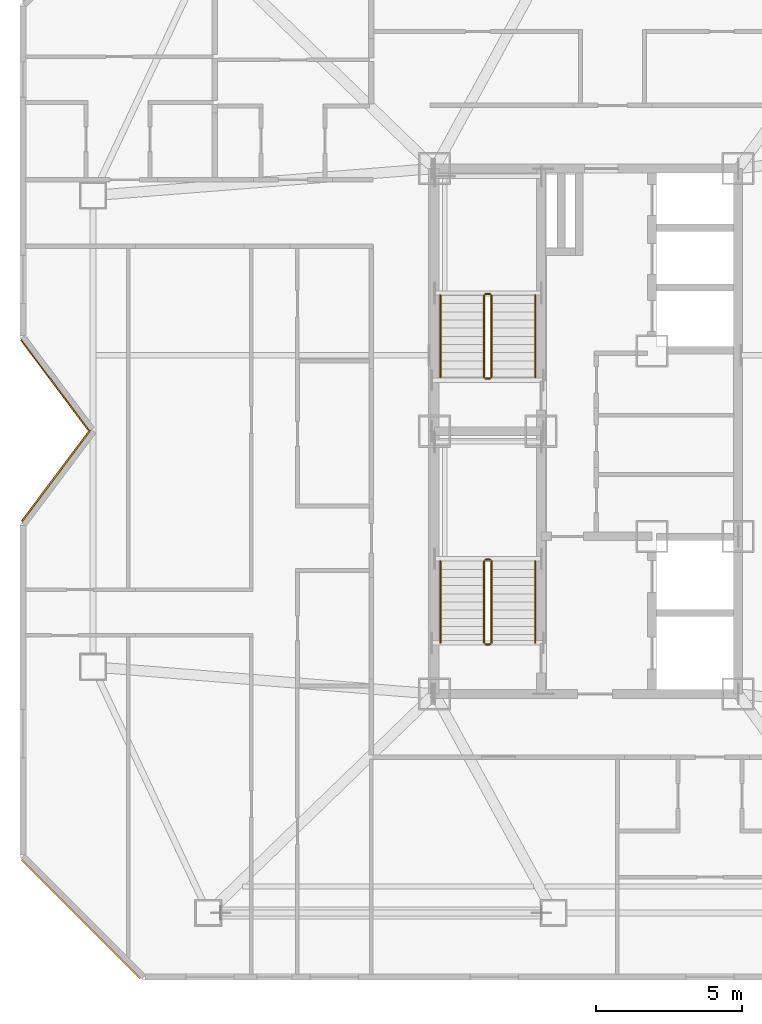
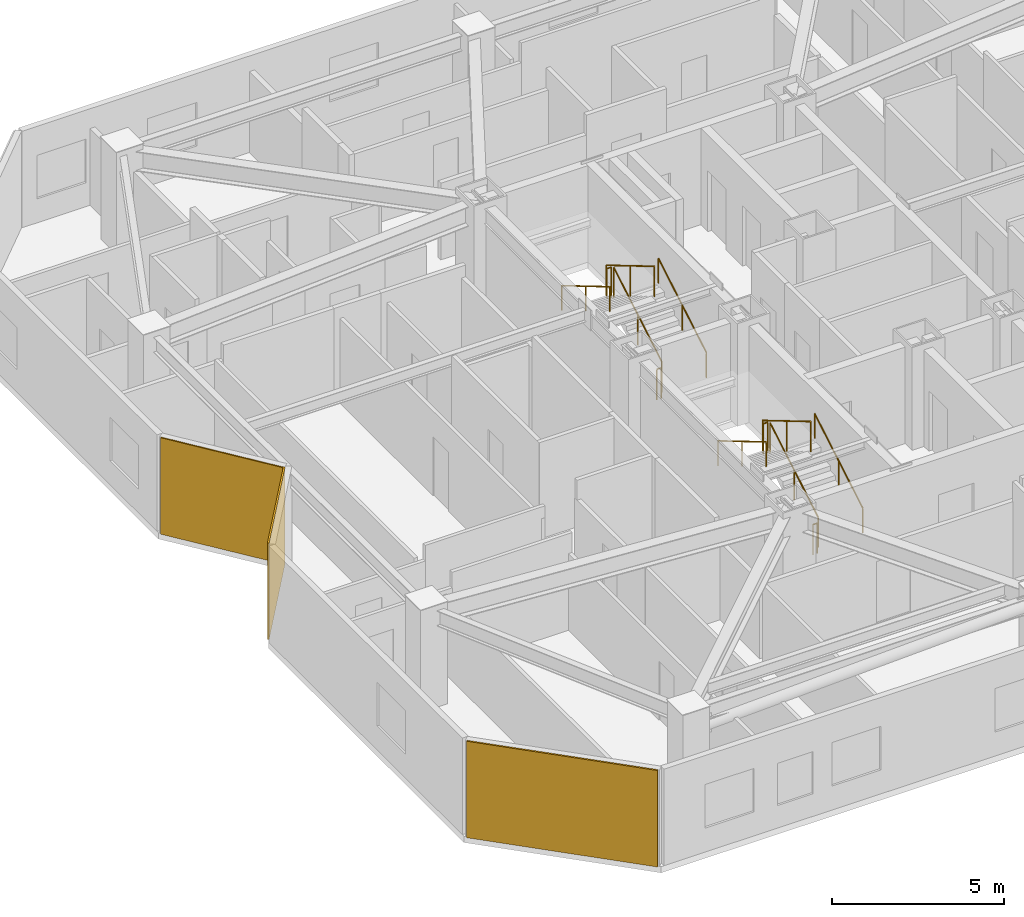
# One storey, part 12 of 13: 12 railings, 3 coverings.
"""IFC4 building model written with IfcOpenShell, lengths in metres."""

from ifc_helpers import new_model, si_unit, direction, frame, origin, origin_2d, place, context, subcontext, project, spatial, rectangle, circle, extrude, material, layer, layer_set, type_object, element, save


model = new_model("IFC4")

# Units and contexts
model_context = context("Model", 3, precision=1e-05, world=origin(), true_north=direction((0.0, 1.0)))
body_context = subcontext(model_context, "Body", "Model", "MODEL_VIEW")
ifc_project = project(units=[si_unit("LENGTHUNIT", "METRE"), si_unit("AREAUNIT", "SQUARE_METRE"), si_unit("VOLUMEUNIT", "CUBIC_METRE"), si_unit("PLANEANGLEUNIT", "RADIAN"), si_unit("MASSUNIT", "GRAM", prefix="KILO")], contexts=[model_context])

# Site, building, storey
site_placement = place(None, origin())
site = spatial("IfcSite", under=ifc_project, at=site_placement, CompositionType="ELEMENT")
building_placement = place(site_placement, origin())
building = spatial("IfcBuilding", under=site, at=building_placement, Name="Khamvora Tower", CompositionType="ELEMENT")
storey_placement = place(building_placement, frame((0.0, 0.0, 196.050048828125)))
storey = spatial("IfcBuildingStorey", under=building, at=storey_placement, Name="L50", CompositionType="ELEMENT", Elevation=196.050048828125)

# Coverings
ifc_material_1 = material(Name="Pale Anodised Aluminium Rainscreen Panel", Category="aluminium")
ifc_layer_1 = layer(ifc_material_1, 0.044921875)
ifc_layer_set_1 = layer_set([ifc_layer_1], Name="Pale Anodised Aluminium Rainscreen Panel")
covering_type_1 = type_object("IfcCoveringType", Name="COV-CLD-ALU", PredefinedType="CLADDING", material=ifc_layer_set_1)
covering_1_placement = place(storey_placement, frame((15.991943359375, 29.580078125, 0.0), z_axis=(0.0, 0.0, 1.0), x_axis=(-0.600000000002, 0.799999999998, 0.0)))
element("IfcCovering", 1, at=covering_1_placement, inside=storey, type_object=covering_type_1, Name="L50 chamfer rainscreen cladding 04.1", PredefinedType="CLADDING", context=body_context, shape_type="SweptSolid", body=[
    extrude(rectangle(XDim=3.85498046875, YDim=0.044921875, at=origin_2d()), origin(), (0.0, 0.0, 1.0), 3.429931640625),
])
ifc_material_2 = material(Name="Anodised Bronze Aluminium Spandrel Panel", Category="aluminium")
ifc_layer_2 = layer(ifc_material_2, 0.054931640625)
ifc_layer_set_2 = layer_set([ifc_layer_2], Name="Anodised Bronze Aluminium Spandrel Panel")
covering_type_2 = type_object("IfcCoveringType", Name="COV-CLD-BRZ", PredefinedType="CLADDING", material=ifc_layer_set_2)
covering_2_placement = place(storey_placement, frame((16.886962890625, 11.287109375, 0.0), z_axis=(0.0, 0.0, 1.0), x_axis=(-0.707106781187, 0.707106781187, 0.0)))
element("IfcCovering", 2, at=covering_2_placement, inside=storey, type_object=covering_type_2, Name="L50 chamfer rainscreen cladding 01.1", PredefinedType="CLADDING", context=body_context, shape_type="SweptSolid", body=[
    extrude(rectangle(XDim=5.756103515625, YDim=0.054931640625, at=origin_2d()), origin(), (0.0, 0.0, 1.0), 3.429931640625),
])
covering_3_placement = place(storey_placement, frame((16.032958984375, 26.47412109375, 0.0), z_axis=(0.0, 0.0, 1.0), x_axis=(0.600040085427, 0.799969934361, 0.0)))
element("IfcCovering", 3, at=covering_3_placement, inside=storey, type_object=covering_type_2, Name="L50 chamfer rainscreen cladding 03.1", PredefinedType="CLADDING", context=body_context, shape_type="SweptSolid", body=[
    extrude(rectangle(XDim=3.89111328125, YDim=0.054931640625, at=origin_2d()), origin(), (0.0, 0.0, 1.0), 3.429931640625),
])

# Railings
ifc_material_3 = material(Name="Brushed Stainless Steel 316", Category="steel")
railing_type_1 = type_object("IfcRailingType", Name="RAL-HDR-920", PredefinedType="HANDRAIL", material=ifc_material_3)
railing_1_placement = place(storey_placement, frame((32.449951171875, 20.75, 0.165771484375)))
element("IfcRailing", 4, at=railing_1_placement, inside=storey, type_object=railing_type_1, Name="L50 ST-01 stair handrail 1", PredefinedType="HANDRAIL", context=body_context, shape_type="SweptSolid", body=[
    extrude(circle(Radius=0.02392578125, at=origin_2d()), frame((0.0, 0.0, 0.8759765625), z_axis=(0.0, 0.860306154799, 0.50977771628), x_axis=(-1.0, 0.0, 0.0)), (0.0, 0.0, 1.0), 3.254638671875),
    extrude(circle(Radius=0.02099609375, at=origin_2d()), origin(), (0.0, 0.0, 1.0), 0.851806640625),
    extrude(circle(Radius=0.02099609375, at=origin_2d()), frame((0.0, 1.39990234375, 0.82958984375)), (0.0, 0.0, 1.0), 0.851806640625),
    extrude(circle(Radius=0.02099609375, at=origin_2d()), frame((0.0, 2.800048828125, 1.6591796875)), (0.0, 0.0, 1.0), 0.851806640625),
])
railing_2_placement = place(storey_placement, frame((29.199951171875, 23.550048828125, 1.990966796875)))
element("IfcRailing", 5, at=railing_2_placement, inside=storey, type_object=railing_type_1, Name="L50 ST-01 stair handrail 2", PredefinedType="HANDRAIL", context=body_context, shape_type="SweptSolid", body=[
    extrude(circle(Radius=0.02392578125, at=origin_2d()), frame((0.0, 0.0, 0.8759765625), z_axis=(0.0, -0.860339051648, 0.50972219513), x_axis=(1.0, 0.0, 0.0)), (0.0, 0.0, 1.0), 3.254638671875),
    extrude(circle(Radius=0.02099609375, at=origin_2d()), origin(), (0.0, 0.0, 1.0), 0.851806640625),
    extrude(circle(Radius=0.02099609375, at=origin_2d()), frame((0.0, -1.39990234375, 0.82958984375)), (0.0, 0.0, 1.0), 0.851806640625),
    extrude(circle(Radius=0.02099609375, at=origin_2d()), frame((0.0, -2.800048828125, 1.658935546875)), (0.0, 0.0, 1.0), 0.851806640625),
])
railing_3_placement = place(storey_placement, frame((32.449951171875, 29.85009765625, 0.165771484375)))
element("IfcRailing", 6, at=railing_3_placement, inside=storey, type_object=railing_type_1, Name="L50 ST-02 stair handrail 1", PredefinedType="HANDRAIL", context=body_context, shape_type="SweptSolid", body=[
    extrude(circle(Radius=0.02392578125, at=origin_2d()), frame((0.0, 0.0, 0.8759765625), z_axis=(0.0, 0.860286659441, 0.509810615413), x_axis=(-1.0, 0.0, 0.0)), (0.0, 0.0, 1.0), 3.25439453125),
    extrude(circle(Radius=0.02099609375, at=origin_2d()), origin(), (0.0, 0.0, 1.0), 0.851806640625),
    extrude(circle(Radius=0.02099609375, at=origin_2d()), frame((0.0, 1.39990234375, 0.82958984375)), (0.0, 0.0, 1.0), 0.851806640625),
    extrude(circle(Radius=0.02099609375, at=origin_2d()), frame((0.0, 2.7998046875, 1.6591796875)), (0.0, 0.0, 1.0), 0.851806640625),
])
railing_4_placement = place(storey_placement, frame((29.199951171875, 32.64990234375, 1.990966796875)))
element("IfcRailing", 7, at=railing_4_placement, inside=storey, type_object=railing_type_1, Name="L50 ST-02 stair handrail 2", PredefinedType="HANDRAIL", context=body_context, shape_type="SweptSolid", body=[
    extrude(circle(Radius=0.02392578125, at=origin_2d()), frame((0.0, 0.0, 0.8759765625), z_axis=(0.0, -0.860319559791, 0.509755093197), x_axis=(1.0, 0.0, 0.0)), (0.0, 0.0, 1.0), 3.25439453125),
    extrude(circle(Radius=0.02099609375, at=origin_2d()), origin(), (0.0, 0.0, 1.0), 0.851806640625),
    extrude(circle(Radius=0.02099609375, at=origin_2d()), frame((0.0, -1.39990234375, 0.82958984375)), (0.0, 0.0, 1.0), 0.851806640625),
    extrude(circle(Radius=0.02099609375, at=origin_2d()), frame((0.0, -2.7998046875, 1.658935546875)), (0.0, 0.0, 1.0), 0.851806640625),
])
ifc_material_4 = material(Name="Stainless Steel 316", Category="steel")
railing_type_2 = type_object("IfcRailingType", Name="RAL-STG-1100", PredefinedType="GUARDRAIL", material=ifc_material_4)
railing_5_placement = place(storey_placement, frame((30.949951171875, 20.75, 0.165771484375)))
element("IfcRailing", 8, at=railing_5_placement, inside=storey, type_object=railing_type_2, Name="L50 ST-01 stair guard 1", PredefinedType="GUARDRAIL", context=body_context, shape_type="SweptSolid", body=[
    extrude(circle(Radius=0.02392578125, at=origin_2d()), frame((0.0, 0.0, 1.076171875), z_axis=(0.0, 0.860306154799, 0.50977771628), x_axis=(-1.0, 0.0, 0.0)), (0.0, 0.0, 1.0), 3.254638671875),
    extrude(circle(Radius=0.02099609375, at=origin_2d()), origin(), (0.0, 0.0, 1.0), 1.052001953125),
    extrude(circle(Radius=0.02099609375, at=origin_2d()), frame((0.0, 1.39990234375, 0.82958984375)), (0.0, 0.0, 1.0), 1.052001953125),
    extrude(circle(Radius=0.02099609375, at=origin_2d()), frame((0.0, 2.800048828125, 1.6591796875)), (0.0, 0.0, 1.0), 1.052001953125),
])
railing_6_placement = place(storey_placement, frame((30.89990234375, 23.60009765625, 1.824951171875)))
element("IfcRailing", 9, at=railing_6_placement, inside=storey, type_object=railing_type_2, Name="L50 ST-01 stair guard 2", PredefinedType="GUARDRAIL", context=body_context, shape_type="SweptSolid", body=[
    extrude(circle(Radius=0.02392578125, at=origin_2d()), frame((0.0, 0.0, 1.076171875), z_axis=(-1.0, 0.0, 0.0), x_axis=(0.0, -1.0, 0.0)), (0.0, 0.0, 1.0), 0.14990234375),
    extrude(circle(Radius=0.02099609375, at=origin_2d()), origin(), (0.0, 0.0, 1.0), 1.052001953125),
    extrude(circle(Radius=0.02099609375, at=origin_2d()), frame((-0.14990234375, 0.0, 0.0)), (0.0, 0.0, 1.0), 1.052001953125),
])
railing_7_placement = place(storey_placement, frame((30.699951171875, 23.550048828125, 1.990966796875)))
element("IfcRailing", 10, at=railing_7_placement, inside=storey, type_object=railing_type_2, Name="L50 ST-01 stair guard 3", PredefinedType="GUARDRAIL", context=body_context, shape_type="SweptSolid", body=[
    extrude(circle(Radius=0.02392578125, at=origin_2d()), frame((0.0, 0.0, 1.076171875), z_axis=(0.0, -0.860339051648, 0.50972219513), x_axis=(1.0, 0.0, 0.0)), (0.0, 0.0, 1.0), 3.254638671875),
    extrude(circle(Radius=0.02099609375, at=origin_2d()), origin(), (0.0, 0.0, 1.0), 1.052001953125),
    extrude(circle(Radius=0.02099609375, at=origin_2d()), frame((0.0, -1.39990234375, 0.82958984375)), (0.0, 0.0, 1.0), 1.052001953125),
    extrude(circle(Radius=0.02099609375, at=origin_2d()), frame((0.0, -2.800048828125, 1.658935546875)), (0.0, 0.0, 1.0), 1.052001953125),
])
railing_8_placement = place(storey_placement, frame((30.89990234375, 20.699951171875, 0.0)))
element("IfcRailing", 11, at=railing_8_placement, inside=storey, type_object=railing_type_2, Name="L50 ST-01 stair guard 4", PredefinedType="GUARDRAIL", context=body_context, shape_type="SweptSolid", body=[
    extrude(circle(Radius=0.02392578125, at=origin_2d()), frame((0.0, 0.0, 1.076171875), z_axis=(-1.0, 0.0, 0.0), x_axis=(0.0, -1.0, 0.0)), (0.0, 0.0, 1.0), 0.14990234375),
    extrude(circle(Radius=0.02099609375, at=origin_2d()), origin(), (0.0, 0.0, 1.0), 1.052001953125),
    extrude(circle(Radius=0.02099609375, at=origin_2d()), frame((-0.14990234375, 0.0, 0.0)), (0.0, 0.0, 1.0), 1.052001953125),
])
railing_9_placement = place(storey_placement, frame((30.949951171875, 29.85009765625, 0.165771484375)))
element("IfcRailing", 12, at=railing_9_placement, inside=storey, type_object=railing_type_2, Name="L50 ST-02 stair guard 1", PredefinedType="GUARDRAIL", context=body_context, shape_type="SweptSolid", body=[
    extrude(circle(Radius=0.02392578125, at=origin_2d()), frame((0.0, 0.0, 1.076171875), z_axis=(0.0, 0.860286659441, 0.509810615413), x_axis=(-1.0, 0.0, 0.0)), (0.0, 0.0, 1.0), 3.25439453125),
    extrude(circle(Radius=0.02099609375, at=origin_2d()), origin(), (0.0, 0.0, 1.0), 1.052001953125),
    extrude(circle(Radius=0.02099609375, at=origin_2d()), frame((0.0, 1.39990234375, 0.82958984375)), (0.0, 0.0, 1.0), 1.052001953125),
    extrude(circle(Radius=0.02099609375, at=origin_2d()), frame((0.0, 2.7998046875, 1.6591796875)), (0.0, 0.0, 1.0), 1.052001953125),
])
railing_10_placement = place(storey_placement, frame((30.89990234375, 32.699951171875, 1.824951171875)))
element("IfcRailing", 13, at=railing_10_placement, inside=storey, type_object=railing_type_2, Name="L50 ST-02 stair guard 2", PredefinedType="GUARDRAIL", context=body_context, shape_type="SweptSolid", body=[
    extrude(circle(Radius=0.02392578125, at=origin_2d()), frame((0.0, 0.0, 1.076171875), z_axis=(-1.0, 0.0, 0.0), x_axis=(0.0, -1.0, 0.0)), (0.0, 0.0, 1.0), 0.14990234375),
    extrude(circle(Radius=0.02099609375, at=origin_2d()), origin(), (0.0, 0.0, 1.0), 1.052001953125),
    extrude(circle(Radius=0.02099609375, at=origin_2d()), frame((-0.14990234375, 0.0, 0.0)), (0.0, 0.0, 1.0), 1.052001953125),
])
railing_11_placement = place(storey_placement, frame((30.699951171875, 32.64990234375, 1.990966796875)))
element("IfcRailing", 14, at=railing_11_placement, inside=storey, type_object=railing_type_2, Name="L50 ST-02 stair guard 3", PredefinedType="GUARDRAIL", context=body_context, shape_type="SweptSolid", body=[
    extrude(circle(Radius=0.02392578125, at=origin_2d()), frame((0.0, 0.0, 1.076171875), z_axis=(0.0, -0.860319559791, 0.509755093197), x_axis=(1.0, 0.0, 0.0)), (0.0, 0.0, 1.0), 3.25439453125),
    extrude(circle(Radius=0.02099609375, at=origin_2d()), origin(), (0.0, 0.0, 1.0), 1.052001953125),
    extrude(circle(Radius=0.02099609375, at=origin_2d()), frame((0.0, -1.39990234375, 0.82958984375)), (0.0, 0.0, 1.0), 1.052001953125),
    extrude(circle(Radius=0.02099609375, at=origin_2d()), frame((0.0, -2.7998046875, 1.658935546875)), (0.0, 0.0, 1.0), 1.052001953125),
])
railing_12_placement = place(storey_placement, frame((30.89990234375, 29.800048828125, 0.0)))
element("IfcRailing", 15, at=railing_12_placement, inside=storey, type_object=railing_type_2, Name="L50 ST-02 stair guard 4", PredefinedType="GUARDRAIL", context=body_context, shape_type="SweptSolid", body=[
    extrude(circle(Radius=0.02392578125, at=origin_2d()), frame((0.0, 0.0, 1.076171875), z_axis=(-1.0, 0.0, 0.0), x_axis=(0.0, -1.0, 0.0)), (0.0, 0.0, 1.0), 0.14990234375),
    extrude(circle(Radius=0.02099609375, at=origin_2d()), origin(), (0.0, 0.0, 1.0), 1.052001953125),
    extrude(circle(Radius=0.02099609375, at=origin_2d()), frame((-0.14990234375, 0.0, 0.0)), (0.0, 0.0, 1.0), 1.052001953125),
])

save(model, "model.ifc")
